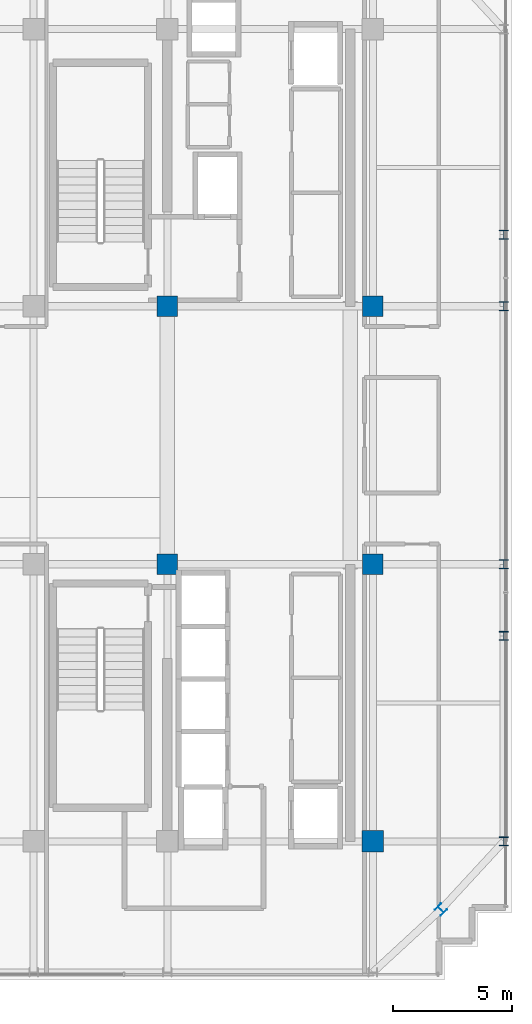
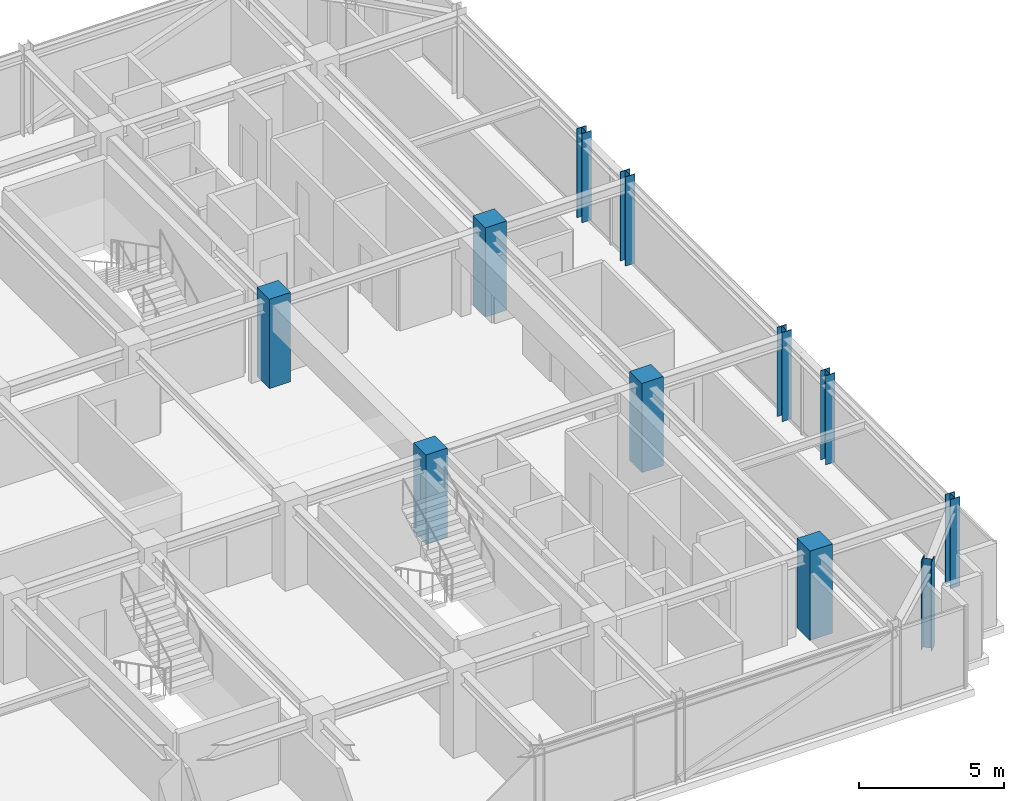
# One storey, part 2 of 34: 11 columns.
"""IFC4 building model written with IfcOpenShell, lengths in metres."""

from ifc_helpers import new_model, si_unit, direction, frame, origin, origin_2d, place, context, subcontext, project, spatial, rectangle, i_section, extrude, source, transform, mapped, material, material_profile, profile_set, type_object, element, save


model = new_model("IFC4")

# Units and contexts
model_context = context("Model", 3, precision=1e-05, world=origin(), true_north=direction((0.0, 1.0)))
body_context = subcontext(model_context, "Body", "Model", "MODEL_VIEW")
ifc_project = project(units=[si_unit("LENGTHUNIT", "METRE"), si_unit("AREAUNIT", "SQUARE_METRE"), si_unit("VOLUMEUNIT", "CUBIC_METRE"), si_unit("PLANEANGLEUNIT", "RADIAN"), si_unit("MASSUNIT", "GRAM", prefix="KILO")], contexts=[model_context])

# Site, building, storey
site_placement = place(None, origin())
site = spatial("IfcSite", under=ifc_project, at=site_placement, CompositionType="ELEMENT")
building_placement = place(site_placement, origin())
building = spatial("IfcBuilding", under=site, at=building_placement, Name="Nahalor Promenade Grand Hotel", CompositionType="ELEMENT")
storey_placement = place(building_placement, frame((0.0, 0.0, 334.75)))
storey = spatial("IfcBuildingStorey", under=building, at=storey_placement, Name="L86", CompositionType="ELEMENT", Elevation=334.75)

# Columns
ifc_material_1 = material(Name="Concrete B-50 (C40/50)", Category="concrete")
ifc_material_profile_1 = material_profile(ifc_material_1, rectangle(XDim=0.9, YDim=0.9, at=origin_2d()), Name="RC 900x900")
ifc_profile_set_1 = profile_set([ifc_material_profile_1], Name="Concrete B-50 (C40/50)")
column_type_1 = type_object("IfcColumnType", Name="Col-RC-900", PredefinedType="COLUMN", material=ifc_profile_set_1)
shared_shape_1 = source(origin(), body_context, "Body", "SweptSolid", [
    extrude(rectangle(XDim=0.9, YDim=0.9, at=origin_2d()), origin(), (0.0, 0.0, 1.0), 3.7548828125),
])
column_placement = place(storey_placement, frame((17.0, -17.0, 0.0), z_axis=(0.0, 0.0, 1.0), x_axis=(1.0, 0.0, 0.0)))
element("IfcColumn", 1, at=column_placement, inside=storey, type_object=column_type_1, Name="COL-L86-I50", PredefinedType="COLUMN", context=body_context, shape_type="MappedRepresentation", body=[
    mapped(shared_shape_1, transform((0.0, 0.0, 0.0), scale=1.0)),
])
ifc_material_2 = material(Name="Concrete B-70 (C60/75)", Category="concrete")
ifc_material_profile_2 = material_profile(ifc_material_2, rectangle(XDim=0.85, YDim=0.85, at=origin_2d()), Name="RC 850x850")
ifc_profile_set_2 = profile_set([ifc_material_profile_2], Name="Concrete B-70 (C60/75)")
column_type_2 = type_object("IfcColumnType", Name="Col-Pilaster-850", PredefinedType="PILASTER", material=ifc_profile_set_2)
shared_shape_2 = source(origin(), body_context, "Body", "SweptSolid", [
    extrude(rectangle(XDim=0.85, YDim=0.85, at=origin_2d()), origin(), (0.0, 0.0, 1.0), 3.7548828125),
])
for number, where, z_axis, x_axis, name in (
    (2, (8.39990234375, -5.39990234375, 0.0), (0.0, 0.0, 1.0), (1.0, 0.0, 0.0), "COL-L86-I41"),
    (3, (8.39990234375, 5.39990234375, 0.0), (0.0, 0.0, 1.0), (1.0, 0.0, 0.0), "COL-L86-I42"),
    (4, (17.0, -5.39990234375, 0.0), (0.0, 0.0, 1.0), (1.0, 0.0, 0.0), "COL-L86-I51"),
    (5, (17.0, 5.39990234375, 0.0), (0.0, 0.0, 1.0), (1.0, 0.0, 0.0), "COL-L86-I52"),
):
    element("IfcColumn", number, at=place(storey_placement, frame(where, z_axis=z_axis, x_axis=x_axis)), inside=storey, type_object=column_type_2, Name=name, PredefinedType="PILASTER", context=body_context, shape_type="MappedRepresentation", body=[
        mapped(shared_shape_2, transform((0.0, 0.0, 0.0), scale=1.0)),
    ])
ifc_material_3 = material(Name="Steel S355JR", Category="steel")
ifc_material_profile_3 = material_profile(ifc_material_3, i_section(OverallWidth=0.374, OverallDepth=0.374, WebThickness=0.0144, FlangeThickness=0.0229, at=origin_2d()), Name="HD 360x262")
ifc_profile_set_3 = profile_set([ifc_material_profile_3], Name="Steel S355JR")
column_type_3 = type_object("IfcColumnType", Name="Col-Steel-HD262", PredefinedType="COLUMN", material=ifc_profile_set_3)
shared_shape_3 = source(origin(), body_context, "Body", "SweptSolid", [
    extrude(i_section(OverallWidth=0.374, OverallDepth=0.374, WebThickness=0.0144, FlangeThickness=0.0229, at=origin_2d()), origin(), (0.0, 0.0, 1.0), 3.7548828125),
])
for number, where, z_axis, x_axis, name in (
    (6, (22.47998046875, -17.0, 0.0), (0.0, 0.0, 1.0), (1.0, 0.0, 0.0), "COL-L86-PW-E0"),
    (7, (22.47998046875, -8.39990234375, 0.0), (0.0, 0.0, 1.0), (1.0, 0.0, 0.0), "COL-L86-PW-E1"),
    (8, (22.47998046875, -5.39990234375, 0.0), (0.0, 0.0, 1.0), (1.0, 0.0, 0.0), "COL-L86-PW-E2"),
    (9, (22.47998046875, 5.39990234375, 0.0), (0.0, 0.0, 1.0), (1.0, 0.0, 0.0), "COL-L86-PW-E3"),
    (10, (22.47998046875, 8.39990234375, 0.0), (0.0, 0.0, 1.0), (1.0, 0.0, 0.0), "COL-L86-PW-E4"),
    (11, (19.85009765625, -19.85009765625, 0.0), (0.0, 0.0, 1.0), (0.707106781187, 0.707106781187, 0.0), "COL-L86-CRN-SE"),
):
    element("IfcColumn", number, at=place(storey_placement, frame(where, z_axis=z_axis, x_axis=x_axis)), inside=storey, type_object=column_type_3, Name=name, PredefinedType="COLUMN", context=body_context, shape_type="MappedRepresentation", body=[
        mapped(shared_shape_3, transform((0.0, 0.0, 0.0), scale=1.0)),
    ])

save(model, "model.ifc")
